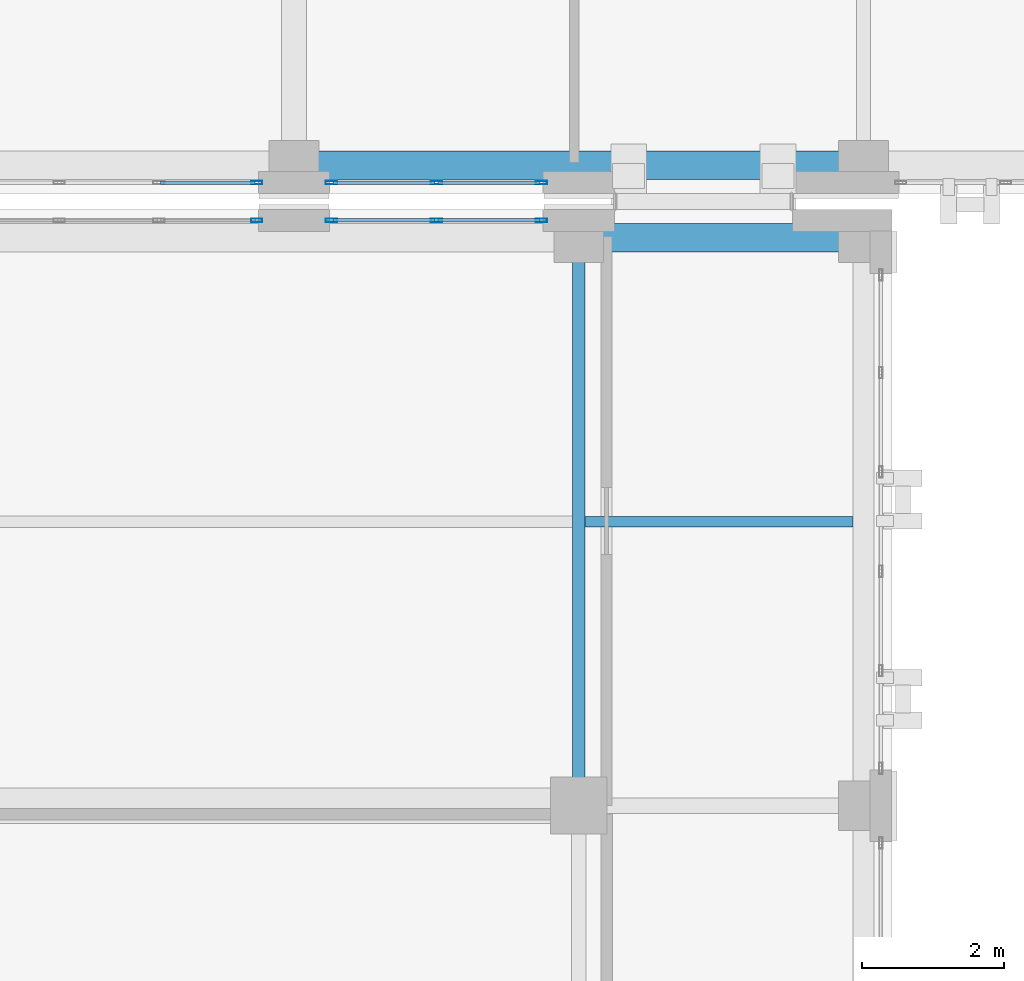
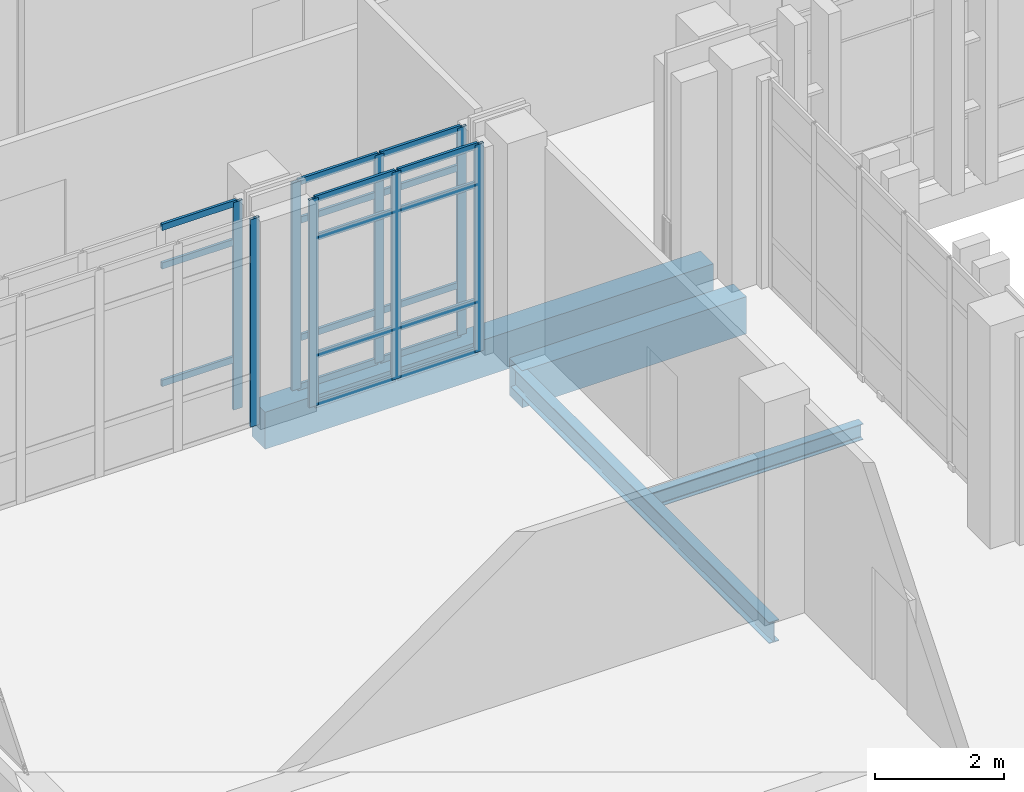
# One storey, part 82 of 193: 27 members, 4 beams, 4 elements without a shape of their own.
"""IFC4 building model written with IfcOpenShell, lengths in metres."""

from ifc_helpers import new_model, si_unit, direction, frame, origin, origin_2d, place, context, subcontext, project, spatial, rectangle, hollow_rectangle, i_section, extrude, material, layer, layer_set, material_profile, profile_set, type_object, element, aggregate, save


model = new_model("IFC4")

# Units and contexts
model_context = context("Model", 3, precision=1e-05, world=origin(), true_north=direction((0.0, 1.0)))
body_context = subcontext(model_context, "Body", "Model", "MODEL_VIEW")
ifc_project = project(units=[si_unit("LENGTHUNIT", "METRE"), si_unit("AREAUNIT", "SQUARE_METRE"), si_unit("VOLUMEUNIT", "CUBIC_METRE"), si_unit("PLANEANGLEUNIT", "RADIAN"), si_unit("MASSUNIT", "GRAM", prefix="KILO")], contexts=[model_context])

# Site, building, storey
site_placement = place(None, origin())
site = spatial("IfcSite", under=ifc_project, at=site_placement, CompositionType="ELEMENT")
building_placement = place(site_placement, origin())
building = spatial("IfcBuilding", under=site, at=building_placement, Name="Qalavern Law Courts", CompositionType="ELEMENT")
storey_placement = place(building_placement, frame((0.0, 0.0, 10.199951171875)))
storey = spatial("IfcBuildingStorey", under=building, at=storey_placement, Name="L02", CompositionType="ELEMENT", Elevation=10.199951171875)

# Curtain wall, members
ifc_material_1 = material(Name="Anodised aluminium and insulated glazing", Category="aluminium")
ifc_layer_1 = layer(ifc_material_1, 0.172119140625)
ifc_layer_set_1 = layer_set([ifc_layer_1], Name="Anodised aluminium and insulated glazing")
curtain_wall_type_1 = type_object("IfcCurtainWallType", Name="ENV-CW-COURT", PredefinedType="USERDEFINED", material=ifc_layer_set_1)
curtain_wall_1_placement = place(storey_placement, origin())
curtain_wall_1 = element("IfcCurtainWall", 1, at=curtain_wall_1_placement, inside=storey, type_object=curtain_wall_type_1, Name="V3 unitised curtain wall L02 north 1", ObjectType="UNITISED CURTAIN WALL", PredefinedType="USERDEFINED")
ifc_material_2 = material(Name="Anodised aluminium", Category="aluminium")
ifc_material_profile_1 = material_profile(ifc_material_2, hollow_rectangle(XDim=0.048095703125, YDim=0.159912109375, WallThickness=0.00390625, at=origin_2d()), Name="ALU MULLION 48x160")
ifc_profile_set_1 = profile_set([ifc_material_profile_1], Name="Anodised aluminium")
member_type_1 = type_object("IfcMemberType", Name="ENV-CWM-48x160", PredefinedType="MULLION", material=ifc_profile_set_1)
member_1_placement = place(storey_placement, frame((13.8759765625, 95.824951171875, 0.0), z_axis=(0.0, 0.0, 1.0), x_axis=(0.0, -1.0, 0.0)))
member_1 = element("IfcMember", 2, at=member_1_placement, type_object=member_type_1, Name="CW-03 mullion 1", PredefinedType="MULLION", context=body_context, shape_type="SweptSolid", body=[
    extrude(hollow_rectangle(XDim=0.048095703125, YDim=0.159912109375, WallThickness=0.00390625, at=origin_2d()), origin(), (0.0, 0.0, 1.0), 3.9150390625),
])
member_2_placement = place(storey_placement, frame((12.39990234375, 95.824951171875, 0.0), z_axis=(0.0, 0.0, 1.0), x_axis=(0.0, -1.0, 0.0)))
member_2 = element("IfcMember", 3, at=member_2_placement, type_object=member_type_1, Name="CW-03 mullion 2", PredefinedType="MULLION", context=body_context, shape_type="SweptSolid", body=[
    extrude(hollow_rectangle(XDim=0.048095703125, YDim=0.159912109375, WallThickness=0.00390625, at=origin_2d()), origin(), (0.0, 0.0, 1.0), 3.9150390625),
])
member_3_placement = place(storey_placement, frame((10.924072265625, 95.824951171875, 0.0), z_axis=(0.0, 0.0, 1.0), x_axis=(0.0, -1.0, 0.0)))
member_3 = element("IfcMember", 4, at=member_3_placement, type_object=member_type_1, Name="CW-03 mullion 3", PredefinedType="MULLION", context=body_context, shape_type="SweptSolid", body=[
    extrude(hollow_rectangle(XDim=0.048095703125, YDim=0.159912109375, WallThickness=0.00390625, at=origin_2d()), origin(), (0.0, 0.0, 1.0), 3.9150390625),
])

# Curtain wall, member
curtain_wall_2_placement = place(storey_placement, origin())
curtain_wall_2 = element("IfcCurtainWall", 5, at=curtain_wall_2_placement, inside=storey, type_object=curtain_wall_type_1, Name="V3 unitised curtain wall L02 north 2", ObjectType="UNITISED CURTAIN WALL", PredefinedType="USERDEFINED")
member_4_placement = place(storey_placement, frame((9.8759765625, 95.824951171875, 0.0), z_axis=(0.0, 0.0, 1.0), x_axis=(0.0, -1.0, 0.0)))
member_4 = element("IfcMember", 6, at=member_4_placement, type_object=member_type_1, Name="CW-03 mullion 1", PredefinedType="MULLION", context=body_context, shape_type="SweptSolid", body=[
    extrude(hollow_rectangle(XDim=0.048095703125, YDim=0.159912109375, WallThickness=0.00390625, at=origin_2d()), origin(), (0.0, 0.0, 1.0), 3.9150390625),
])
aggregate(curtain_wall_2, [member_4])

ifc_layer_2 = layer(ifc_material_1, 0.166015625)
ifc_layer_set_2 = layer_set([ifc_layer_2], Name="Anodised aluminium and insulated glazing")
curtain_wall_type_2 = type_object("IfcCurtainWallType", Name="ENV-CW-LIB", PredefinedType="USERDEFINED", material=ifc_layer_set_2)
curtain_wall_3_placement = place(storey_placement, origin())
curtain_wall_3 = element("IfcCurtainWall", 7, at=curtain_wall_3_placement, inside=storey, type_object=curtain_wall_type_2, Name="V5 unitised curtain wall L02 south 1", ObjectType="UNITISED CURTAIN WALL", PredefinedType="USERDEFINED")
member_5_placement = place(storey_placement, frame((9.8759765625, 96.35498046875, 0.0), z_axis=(0.0, 0.0, 1.0), x_axis=(0.0, 1.0, 0.0)))
member_5 = element("IfcMember", 8, at=member_5_placement, type_object=member_type_1, Name="CW-05 mullion 6", PredefinedType="MULLION", context=body_context, shape_type="SweptSolid", body=[
    extrude(hollow_rectangle(XDim=0.048095703125, YDim=0.159912109375, WallThickness=0.00390625, at=origin_2d()), origin(), (0.0, 0.0, 1.0), 3.9150390625),
])

# Curtain wall, members
curtain_wall_4_placement = place(storey_placement, origin())
curtain_wall_4 = element("IfcCurtainWall", 9, at=curtain_wall_4_placement, inside=storey, type_object=curtain_wall_type_2, Name="V5 unitised curtain wall L02 south 2", ObjectType="UNITISED CURTAIN WALL", PredefinedType="USERDEFINED")
member_6_placement = place(storey_placement, frame((10.924072265625, 96.35498046875, 0.0), z_axis=(0.0, 0.0, 1.0), x_axis=(0.0, 1.0, 0.0)))
member_6 = element("IfcMember", 10, at=member_6_placement, type_object=member_type_1, Name="CW-05 mullion 1", PredefinedType="MULLION", context=body_context, shape_type="SweptSolid", body=[
    extrude(hollow_rectangle(XDim=0.048095703125, YDim=0.159912109375, WallThickness=0.00390625, at=origin_2d()), origin(), (0.0, 0.0, 1.0), 3.9150390625),
])
member_7_placement = place(storey_placement, frame((12.39990234375, 96.35498046875, 0.0), z_axis=(0.0, 0.0, 1.0), x_axis=(0.0, 1.0, 0.0)))
member_7 = element("IfcMember", 11, at=member_7_placement, type_object=member_type_1, Name="CW-05 mullion 2", PredefinedType="MULLION", context=body_context, shape_type="SweptSolid", body=[
    extrude(hollow_rectangle(XDim=0.048095703125, YDim=0.159912109375, WallThickness=0.00390625, at=origin_2d()), origin(), (0.0, 0.0, 1.0), 3.9150390625),
])
member_8_placement = place(storey_placement, frame((13.8759765625, 96.35498046875, 0.0), z_axis=(0.0, 0.0, 1.0), x_axis=(0.0, 1.0, 0.0)))
member_8 = element("IfcMember", 12, at=member_8_placement, type_object=member_type_1, Name="CW-05 mullion 3", PredefinedType="MULLION", context=body_context, shape_type="SweptSolid", body=[
    extrude(hollow_rectangle(XDim=0.048095703125, YDim=0.159912109375, WallThickness=0.00390625, at=origin_2d()), origin(), (0.0, 0.0, 1.0), 3.9150390625),
])

# Member
ifc_material_profile_2 = material_profile(ifc_material_2, hollow_rectangle(XDim=0.048095703125, YDim=0.1201171875, WallThickness=0.00390625, at=origin_2d()), Name="ALU TRANSOM 48x120")
ifc_profile_set_2 = profile_set([ifc_material_profile_2], Name="Anodised aluminium")
member_type_2 = type_object("IfcMemberType", Name="ENV-CWT-48x120", PredefinedType="USERDEFINED", material=ifc_profile_set_2)
member_9_placement = place(storey_placement, frame((13.85205078125, 95.824951171875, 0.024169921875), z_axis=(-1.0, 0.0, 0.0), x_axis=(0.0, -1.0, 0.0)))
member_9 = element("IfcMember", 13, at=member_9_placement, type_object=member_type_2, Name="CW-03 transom 1.1", ObjectType="TRANSOM", PredefinedType="USERDEFINED", context=body_context, shape_type="SweptSolid", body=[
    extrude(hollow_rectangle(XDim=0.048095703125, YDim=0.1201171875, WallThickness=0.00390625, at=origin_2d()), origin(), (0.0, 0.0, 1.0), 1.427978515625),
])

member_10_placement = place(storey_placement, frame((13.85205078125, 95.824951171875, 0.949951171875), z_axis=(-1.0, 0.0, 0.0), x_axis=(0.0, -1.0, 0.0)))
member_10 = element("IfcMember", 14, at=member_10_placement, type_object=member_type_2, Name="CW-03 transom 1.2", ObjectType="TRANSOM", PredefinedType="USERDEFINED", context=body_context, shape_type="SweptSolid", body=[
    extrude(hollow_rectangle(XDim=0.048095703125, YDim=0.1201171875, WallThickness=0.00390625, at=origin_2d()), origin(), (0.0, 0.0, 1.0), 1.427978515625),
])

member_11_placement = place(storey_placement, frame((13.85205078125, 95.824951171875, 3.1650390625), z_axis=(-1.0, 0.0, 0.0), x_axis=(0.0, -1.0, 0.0)))
member_11 = element("IfcMember", 15, at=member_11_placement, type_object=member_type_2, Name="CW-03 transom 1.3", ObjectType="TRANSOM", PredefinedType="USERDEFINED", context=body_context, shape_type="SweptSolid", body=[
    extrude(hollow_rectangle(XDim=0.048095703125, YDim=0.1201171875, WallThickness=0.00390625, at=origin_2d()), origin(), (0.0, 0.0, 1.0), 1.427978515625),
])

member_12_placement = place(storey_placement, frame((13.85205078125, 95.824951171875, 3.89111328125), z_axis=(-1.0, 0.0, 0.0), x_axis=(0.0, -1.0, 0.0)))
member_12 = element("IfcMember", 16, at=member_12_placement, type_object=member_type_2, Name="CW-03 transom 1.4", ObjectType="TRANSOM", PredefinedType="USERDEFINED", context=body_context, shape_type="SweptSolid", body=[
    extrude(hollow_rectangle(XDim=0.048095703125, YDim=0.1201171875, WallThickness=0.00390625, at=origin_2d()), origin(), (0.0, 0.0, 1.0), 1.427978515625),
])

member_13_placement = place(storey_placement, frame((12.3759765625, 95.824951171875, 0.024169921875), z_axis=(-1.0, 0.0, 0.0), x_axis=(0.0, -1.0, 0.0)))
member_13 = element("IfcMember", 17, at=member_13_placement, type_object=member_type_2, Name="CW-03 transom 2.1", ObjectType="TRANSOM", PredefinedType="USERDEFINED", context=body_context, shape_type="SweptSolid", body=[
    extrude(hollow_rectangle(XDim=0.048095703125, YDim=0.1201171875, WallThickness=0.00390625, at=origin_2d()), origin(), (0.0, 0.0, 1.0), 1.427978515625),
])

member_14_placement = place(storey_placement, frame((12.3759765625, 95.824951171875, 0.949951171875), z_axis=(-1.0, 0.0, 0.0), x_axis=(0.0, -1.0, 0.0)))
member_14 = element("IfcMember", 18, at=member_14_placement, type_object=member_type_2, Name="CW-03 transom 2.2", ObjectType="TRANSOM", PredefinedType="USERDEFINED", context=body_context, shape_type="SweptSolid", body=[
    extrude(hollow_rectangle(XDim=0.048095703125, YDim=0.1201171875, WallThickness=0.00390625, at=origin_2d()), origin(), (0.0, 0.0, 1.0), 1.427978515625),
])

member_15_placement = place(storey_placement, frame((12.3759765625, 95.824951171875, 3.1650390625), z_axis=(-1.0, 0.0, 0.0), x_axis=(0.0, -1.0, 0.0)))
member_15 = element("IfcMember", 19, at=member_15_placement, type_object=member_type_2, Name="CW-03 transom 2.3", ObjectType="TRANSOM", PredefinedType="USERDEFINED", context=body_context, shape_type="SweptSolid", body=[
    extrude(hollow_rectangle(XDim=0.048095703125, YDim=0.1201171875, WallThickness=0.00390625, at=origin_2d()), origin(), (0.0, 0.0, 1.0), 1.427978515625),
])

member_16_placement = place(storey_placement, frame((12.3759765625, 95.824951171875, 3.89111328125), z_axis=(-1.0, 0.0, 0.0), x_axis=(0.0, -1.0, 0.0)))
member_16 = element("IfcMember", 20, at=member_16_placement, type_object=member_type_2, Name="CW-03 transom 2.4", ObjectType="TRANSOM", PredefinedType="USERDEFINED", context=body_context, shape_type="SweptSolid", body=[
    extrude(hollow_rectangle(XDim=0.048095703125, YDim=0.1201171875, WallThickness=0.00390625, at=origin_2d()), origin(), (0.0, 0.0, 1.0), 1.427978515625),
])

aggregate(curtain_wall_1, [member_1, member_2, member_3, member_9, member_10, member_11, member_12, member_13, member_14, member_15, member_16])

member_17_placement = place(storey_placement, frame((8.52392578125, 96.35498046875, 0.949951171875), z_axis=(1.0, 0.0, 0.0), x_axis=(0.0, 1.0, 0.0)))
member_17 = element("IfcMember", 21, at=member_17_placement, type_object=member_type_2, Name="CW-05 transom 5.2", ObjectType="TRANSOM", PredefinedType="USERDEFINED", context=body_context, shape_type="SweptSolid", body=[
    extrude(hollow_rectangle(XDim=0.048095703125, YDim=0.1201171875, WallThickness=0.00390625, at=origin_2d()), origin(), (0.0, 0.0, 1.0), 1.328125),
])

member_18_placement = place(storey_placement, frame((8.52392578125, 96.35498046875, 3.1650390625), z_axis=(1.0, 0.0, 0.0), x_axis=(0.0, 1.0, 0.0)))
member_18 = element("IfcMember", 22, at=member_18_placement, type_object=member_type_2, Name="CW-05 transom 5.3", ObjectType="TRANSOM", PredefinedType="USERDEFINED", context=body_context, shape_type="SweptSolid", body=[
    extrude(hollow_rectangle(XDim=0.048095703125, YDim=0.1201171875, WallThickness=0.00390625, at=origin_2d()), origin(), (0.0, 0.0, 1.0), 1.328125),
])

member_19_placement = place(storey_placement, frame((8.52392578125, 96.35498046875, 3.89111328125), z_axis=(1.0, 0.0, 0.0), x_axis=(0.0, 1.0, 0.0)))
member_19 = element("IfcMember", 23, at=member_19_placement, type_object=member_type_2, Name="CW-05 transom 5.4", ObjectType="TRANSOM", PredefinedType="USERDEFINED", context=body_context, shape_type="SweptSolid", body=[
    extrude(hollow_rectangle(XDim=0.048095703125, YDim=0.1201171875, WallThickness=0.00390625, at=origin_2d()), origin(), (0.0, 0.0, 1.0), 1.328125),
])

aggregate(curtain_wall_3, [member_5, member_17, member_18, member_19])

member_20_placement = place(storey_placement, frame((10.947998046875, 96.35498046875, 0.024169921875), z_axis=(1.0, 0.0, 0.0), x_axis=(0.0, 1.0, 0.0)))
member_20 = element("IfcMember", 24, at=member_20_placement, type_object=member_type_2, Name="CW-05 transom 1.1", ObjectType="TRANSOM", PredefinedType="USERDEFINED", context=body_context, shape_type="SweptSolid", body=[
    extrude(hollow_rectangle(XDim=0.048095703125, YDim=0.1201171875, WallThickness=0.00390625, at=origin_2d()), origin(), (0.0, 0.0, 1.0), 1.427978515625),
])

member_21_placement = place(storey_placement, frame((10.947998046875, 96.35498046875, 0.949951171875), z_axis=(1.0, 0.0, 0.0), x_axis=(0.0, 1.0, 0.0)))
member_21 = element("IfcMember", 25, at=member_21_placement, type_object=member_type_2, Name="CW-05 transom 1.2", ObjectType="TRANSOM", PredefinedType="USERDEFINED", context=body_context, shape_type="SweptSolid", body=[
    extrude(hollow_rectangle(XDim=0.048095703125, YDim=0.1201171875, WallThickness=0.00390625, at=origin_2d()), origin(), (0.0, 0.0, 1.0), 1.427978515625),
])

member_22_placement = place(storey_placement, frame((10.947998046875, 96.35498046875, 3.1650390625), z_axis=(1.0, 0.0, 0.0), x_axis=(0.0, 1.0, 0.0)))
member_22 = element("IfcMember", 26, at=member_22_placement, type_object=member_type_2, Name="CW-05 transom 1.3", ObjectType="TRANSOM", PredefinedType="USERDEFINED", context=body_context, shape_type="SweptSolid", body=[
    extrude(hollow_rectangle(XDim=0.048095703125, YDim=0.1201171875, WallThickness=0.00390625, at=origin_2d()), origin(), (0.0, 0.0, 1.0), 1.427978515625),
])

member_23_placement = place(storey_placement, frame((10.947998046875, 96.35498046875, 3.89111328125), z_axis=(1.0, 0.0, 0.0), x_axis=(0.0, 1.0, 0.0)))
member_23 = element("IfcMember", 27, at=member_23_placement, type_object=member_type_2, Name="CW-05 transom 1.4", ObjectType="TRANSOM", PredefinedType="USERDEFINED", context=body_context, shape_type="SweptSolid", body=[
    extrude(hollow_rectangle(XDim=0.048095703125, YDim=0.1201171875, WallThickness=0.00390625, at=origin_2d()), origin(), (0.0, 0.0, 1.0), 1.427978515625),
])

member_24_placement = place(storey_placement, frame((12.424072265625, 96.35498046875, 0.024169921875), z_axis=(1.0, 0.0, 0.0), x_axis=(0.0, 1.0, 0.0)))
member_24 = element("IfcMember", 28, at=member_24_placement, type_object=member_type_2, Name="CW-05 transom 2.1", ObjectType="TRANSOM", PredefinedType="USERDEFINED", context=body_context, shape_type="SweptSolid", body=[
    extrude(hollow_rectangle(XDim=0.048095703125, YDim=0.1201171875, WallThickness=0.00390625, at=origin_2d()), origin(), (0.0, 0.0, 1.0), 1.427978515625),
])

member_25_placement = place(storey_placement, frame((12.424072265625, 96.35498046875, 0.949951171875), z_axis=(1.0, 0.0, 0.0), x_axis=(0.0, 1.0, 0.0)))
member_25 = element("IfcMember", 29, at=member_25_placement, type_object=member_type_2, Name="CW-05 transom 2.2", ObjectType="TRANSOM", PredefinedType="USERDEFINED", context=body_context, shape_type="SweptSolid", body=[
    extrude(hollow_rectangle(XDim=0.048095703125, YDim=0.1201171875, WallThickness=0.00390625, at=origin_2d()), origin(), (0.0, 0.0, 1.0), 1.427978515625),
])

member_26_placement = place(storey_placement, frame((12.424072265625, 96.35498046875, 3.1650390625), z_axis=(1.0, 0.0, 0.0), x_axis=(0.0, 1.0, 0.0)))
member_26 = element("IfcMember", 30, at=member_26_placement, type_object=member_type_2, Name="CW-05 transom 2.3", ObjectType="TRANSOM", PredefinedType="USERDEFINED", context=body_context, shape_type="SweptSolid", body=[
    extrude(hollow_rectangle(XDim=0.048095703125, YDim=0.1201171875, WallThickness=0.00390625, at=origin_2d()), origin(), (0.0, 0.0, 1.0), 1.427978515625),
])

member_27_placement = place(storey_placement, frame((12.424072265625, 96.35498046875, 3.89111328125), z_axis=(1.0, 0.0, 0.0), x_axis=(0.0, 1.0, 0.0)))
member_27 = element("IfcMember", 31, at=member_27_placement, type_object=member_type_2, Name="CW-05 transom 2.4", ObjectType="TRANSOM", PredefinedType="USERDEFINED", context=body_context, shape_type="SweptSolid", body=[
    extrude(hollow_rectangle(XDim=0.048095703125, YDim=0.1201171875, WallThickness=0.00390625, at=origin_2d()), origin(), (0.0, 0.0, 1.0), 1.427978515625),
])

aggregate(curtain_wall_4, [member_6, member_7, member_8, member_20, member_21, member_22, member_23, member_24, member_25, member_26, member_27])

# Beams
ifc_material_3 = material(Name="Steel S355", Category="steel")
ifc_material_profile_3 = material_profile(ifc_material_3, i_section(OverallWidth=0.179931640625, OverallDepth=0.39990234375, WebThickness=0.008544921875, FlangeThickness=0.013427734375, FilletRadius=0.02099609375, at=origin_2d()), Name="IPE 400")
ifc_profile_set_3 = profile_set([ifc_material_profile_3], Name="Steel S355")
beam_type_1 = type_object("IfcBeamType", Name="STR-BM-IPE400", PredefinedType="BEAM", material=ifc_profile_set_3)
beam_1_placement = place(storey_placement, frame((14.39990234375, 87.60009765625, -0.489990234375), z_axis=(0.0, 1.0, 0.0), x_axis=(-1.0, 0.0, 0.0)))
element("IfcBeam", 32, at=beam_1_placement, inside=storey, type_object=beam_type_1, Name="V3 Y-beam 2-7 L02", PredefinedType="BEAM", context=body_context, shape_type="SweptSolid", body=[
    extrude(i_section(OverallWidth=0.179931640625, OverallDepth=0.39990234375, WebThickness=0.008544921875, FlangeThickness=0.013427734375, FilletRadius=0.02099609375, at=origin_2d()), origin(), (0.0, 0.0, 1.0), 7.97998046875),
])
ifc_material_profile_4 = material_profile(ifc_material_3, i_section(OverallWidth=0.14990234375, OverallDepth=0.300048828125, WebThickness=0.007080078125, FlangeThickness=0.0107421875, FilletRadius=0.014892578125, at=origin_2d()), Name="IPE 300")
ifc_profile_set_4 = profile_set([ifc_material_profile_4], Name="Steel S355")
beam_type_2 = type_object("IfcBeamType", Name="STR-JST-IPE300", PredefinedType="JOIST", material=ifc_profile_set_4)
beam_2_placement = place(storey_placement, frame((14.488037109375, 91.590087890625, -0.43994140625), z_axis=(1.0, 0.0, 0.0), x_axis=(0.0, 1.0, 0.0)))
element("IfcBeam", 33, at=beam_2_placement, inside=storey, type_object=beam_type_2, Name="V3 secondary joist 2.7.1 L02", PredefinedType="JOIST", context=body_context, shape_type="SweptSolid", body=[
    extrude(i_section(OverallWidth=0.14990234375, OverallDepth=0.300048828125, WebThickness=0.007080078125, FlangeThickness=0.0107421875, FilletRadius=0.014892578125, at=origin_2d()), origin(), (0.0, 0.0, 1.0), 3.763916015625),
])
ifc_material_4 = material(Name="Concrete C40/50", Category="concrete")
ifc_material_profile_5 = material_profile(ifc_material_4, rectangle(XDim=0.39990234375, YDim=0.699951171875, at=origin_2d()), Name="RC 400x700")
ifc_profile_set_5 = profile_set([ifc_material_profile_5], Name="Concrete C40/50")
beam_type_3 = type_object("IfcBeamType", Name="STR-SP-RC400x700", PredefinedType="SPANDREL", material=ifc_profile_set_5)
beam_3_placement = place(storey_placement, frame((14.39990234375, 95.580078125, -0.639892578125), z_axis=(1.0, 0.0, 0.0), x_axis=(0.0, 1.0, 0.0)))
element("IfcBeam", 34, at=beam_3_placement, inside=storey, type_object=beam_type_3, Name="V3 X-beam 8-2 L02", PredefinedType="SPANDREL", context=body_context, shape_type="SweptSolid", body=[
    extrude(rectangle(XDim=0.39990234375, YDim=0.699951171875, at=origin_2d()), origin(), (0.0, 0.0, 1.0), 4.0),
])
beam_4_placement = place(storey_placement, frame((10.39990234375, 96.60009765625, -0.639892578125), z_axis=(1.0, 0.0, 0.0), x_axis=(0.0, 1.0, 0.0)))
element("IfcBeam", 35, at=beam_4_placement, inside=storey, type_object=beam_type_3, Name="V5 X-beam 1-2 L02", PredefinedType="SPANDREL", context=body_context, shape_type="SweptSolid", body=[
    extrude(rectangle(XDim=0.39990234375, YDim=0.699951171875, at=origin_2d()), origin(), (0.0, 0.0, 1.0), 8.0),
])

save(model, "model.ifc")
